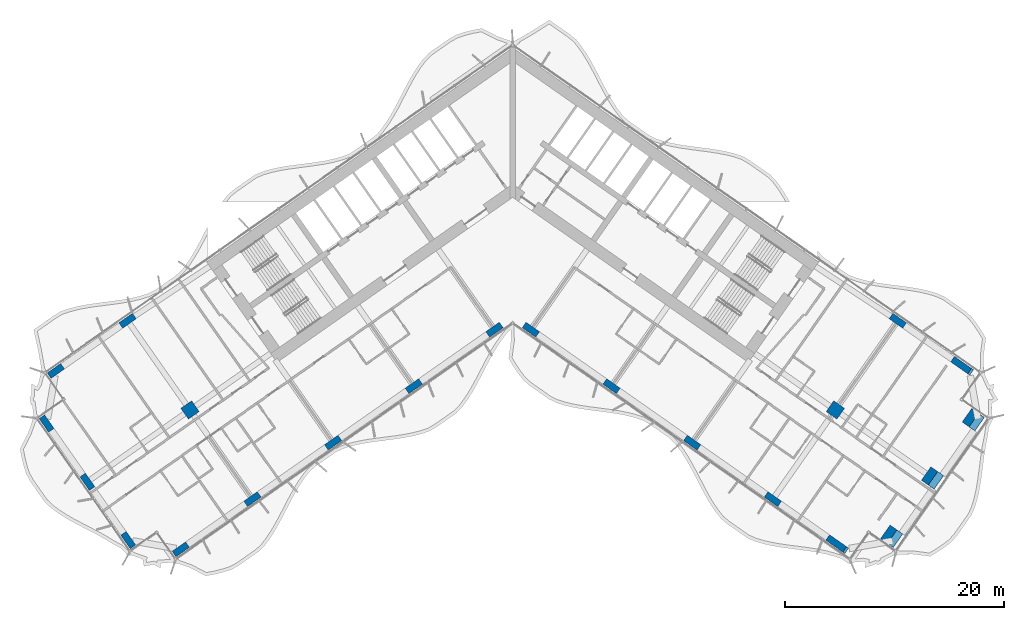
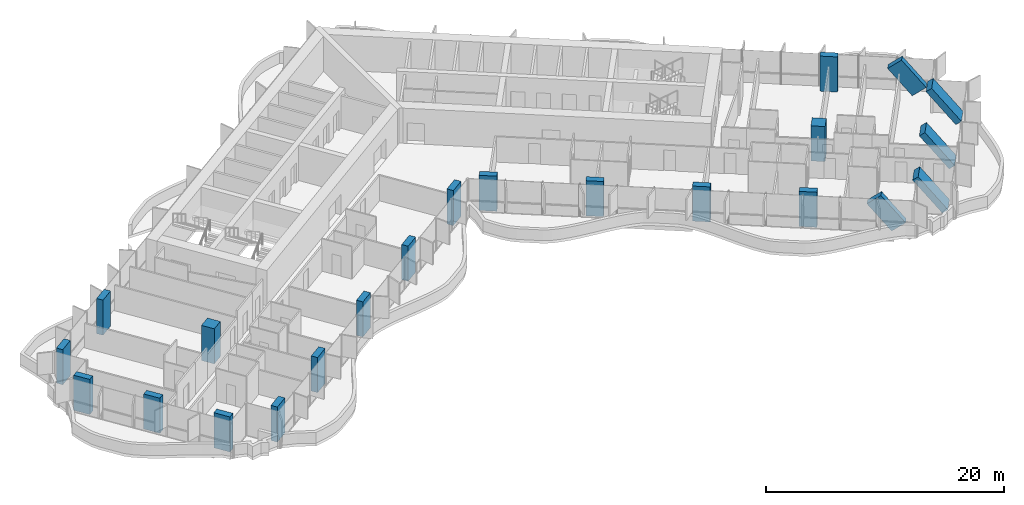
# One storey, part 1 of 24: 22 columns.
"""IFC4 building model written with IfcOpenShell, lengths in metres."""

from ifc_helpers import new_model, si_unit, direction, frame, origin, origin_2d, place, context, subcontext, project, spatial, rectangle, extrude, clip, halfspace, material, material_profile, profile_set, type_object, element, save


model = new_model("IFC4")

# Units and contexts
model_context = context("Model", 3, precision=1e-05, world=origin(), true_north=direction((0.0, 1.0)))
body_context = subcontext(model_context, "Body", "Model", "MODEL_VIEW")
ifc_project = project(units=[si_unit("LENGTHUNIT", "METRE"), si_unit("AREAUNIT", "SQUARE_METRE"), si_unit("VOLUMEUNIT", "CUBIC_METRE"), si_unit("PLANEANGLEUNIT", "RADIAN"), si_unit("MASSUNIT", "GRAM", prefix="KILO")], contexts=[model_context])

# Site, building, storey
site_placement = place(None, origin())
site = spatial("IfcSite", under=ifc_project, at=site_placement, CompositionType="ELEMENT")
building_placement = place(site_placement, origin())
building = spatial("IfcBuilding", under=site, at=building_placement, Name="Tel Ilan Convention Tower", CompositionType="ELEMENT")
storey_placement = place(building_placement, frame((0.0, 0.0, 72.5)))
storey = spatial("IfcBuildingStorey", under=building, at=storey_placement, Name="L13", CompositionType="ELEMENT", Elevation=72.5)

# Columns
ifc_material_1 = material(Name="Concrete C60/75", Category="concrete")
ifc_material_profile_1 = material_profile(ifc_material_1, rectangle(XDim=1.199951171875, YDim=1.199951171875, at=origin_2d()), Name="RC 1200x1200")
ifc_profile_set_1 = profile_set([ifc_material_profile_1], Name="Concrete C60/75")
column_type_1 = type_object("IfcColumnType", Name="Column RC 1200x1200 C60/75", PredefinedType="COLUMN", material=ifc_profile_set_1)
for number, where, z_axis, x_axis, name in (
    (1, (-29.489501953125, -20.648681640625, 0.0), (0.0, 0.0, 1.0), (-0.819152044289, -0.573576436351, 0.0), "L13 column W-M4"),
    (2, (29.489501953125, -20.648681640625, 0.0), (0.0, 0.0, 1.0), (0.819152044289, -0.573576436351, 0.0), "L13 column E-M4"),
):
    element("IfcColumn", number, at=place(storey_placement, frame(where, z_axis=z_axis, x_axis=x_axis)), inside=storey, type_object=column_type_1, Name=name, PredefinedType="COLUMN", context=body_context, shape_type="SweptSolid", body=[
        extrude(rectangle(XDim=1.199951171875, YDim=1.199951171875, at=origin_2d()), origin(), (0.0, 0.0, 1.0), 3.60009765625),
    ])
ifc_material_2 = material(Name="Concrete C60/75", Category="concrete")
ifc_material_profile_2 = material_profile(ifc_material_2, rectangle(XDim=1.5, YDim=0.60009765625, at=origin_2d()), Name="RC 600x1500")
ifc_profile_set_2 = profile_set([ifc_material_profile_2], Name="Concrete C60/75")
column_type_2 = type_object("IfcColumnType", Name="Column RC 600x1500 C60/75", PredefinedType="COLUMN", material=ifc_profile_set_2)
for number, where, z_axis, x_axis, name in (
    (3, (-1.665283203125, -13.312744140625, 0.0), (0.0, 0.0, 1.0), (-0.819152044289, -0.573576436351, 0.0), "L13 column W-F1"),
    (4, (-9.03759765625, -18.474853515625, 0.0), (0.0, 0.0, 1.0), (-0.819152044289, -0.573576436351, 0.0), "L13 column W-F2"),
    (5, (-16.409912109375, -23.63720703125, 0.0), (0.0, 0.0, 1.0), (-0.819152044289, -0.573576436351, 0.0), "L13 column W-F3"),
    (6, (-23.782470703125, -28.79931640625, 0.0), (0.0, 0.0, 1.0), (-0.819152044289, -0.573576436351, 0.0), "L13 column W-F4"),
    (7, (-30.335693359375, -33.387939453125, 0.0), (0.0, 0.0, 1.0), (-0.819152044289, -0.573576436351, 0.0), "L13 column W-FC"),
    (8, (-35.196533203125, -12.498291015625, 0.0), (0.0, 0.0, 1.0), (-0.819152044289, -0.573576436351, 0.0), "L13 column W-B4"),
    (9, (-41.749755859375, -17.0869140625, 0.0), (0.0, 0.0, 1.0), (-0.819152044289, -0.573576436351, 0.0), "L13 column W-BC"),
    (10, (-35.140380859375, -32.540771484375, 0.0), (0.0, 0.0, 1.0), (-0.573576436351, 0.819152044289, 0.0), "L13 column W-E1"),
    (11, (-38.868896484375, -27.21630859375, 0.0), (0.0, 0.0, 1.0), (-0.573576436351, 0.819152044289, 0.0), "L13 column W-E2"),
    (12, (-42.596923828125, -21.8916015625, 0.0), (0.0, 0.0, 1.0), (-0.573576436351, 0.819152044289, 0.0), "L13 column W-E3"),
    (13, (1.665283203125, -13.312744140625, 0.0), (0.0, 0.0, 1.0), (0.819152044289, -0.573576436351, 0.0), "L13 column E-F1"),
    (14, (9.03759765625, -18.474853515625, 0.0), (0.0, 0.0, 1.0), (0.819152044289, -0.573576436351, 0.0), "L13 column E-F2"),
    (15, (16.409912109375, -23.63720703125, 0.0), (0.0, 0.0, 1.0), (0.819152044289, -0.573576436351, 0.0), "L13 column E-F3"),
    (16, (23.782470703125, -28.79931640625, 0.0), (0.0, 0.0, 1.0), (0.819152044289, -0.573576436351, 0.0), "L13 column E-F4"),
):
    element("IfcColumn", number, at=place(storey_placement, frame(where, z_axis=z_axis, x_axis=x_axis)), inside=storey, type_object=column_type_2, Name=name, PredefinedType="COLUMN", context=body_context, shape_type="SweptSolid", body=[
        extrude(rectangle(XDim=1.5, YDim=0.60009765625, at=origin_2d()), origin(), (0.0, 0.0, 1.0), 3.60009765625),
    ])
column_1_placement = place(storey_placement, frame((30.335693359375, -33.387939453125, 0.0), z_axis=(-0.502949209434, 0.352179537956, 0.789310880309), x_axis=(0.646559152129, -0.45273936053, 0.613993757481)))
element("IfcColumn", 17, at=column_1_placement, inside=storey, type_object=column_type_2, Name="L13 column E-FC", PredefinedType="COLUMN", context=body_context, shape_type="Clipping", body=[
    clip(clip(extrude(rectangle(XDim=1.5, YDim=0.60009765625, at=origin_2d()), origin(), (0.0, 0.0, 1.0), 4.560546875), halfspace(frame((0.0, 0.0, 0.583251953125), z_axis=(0.0, 0.0, 1.0), x_axis=(1.0, 0.0, 0.0)), True)), halfspace(frame((0.0, 0.0, 3.977294921875), z_axis=(0.0, 0.0, 1.0), x_axis=(1.0, 0.0, 0.0)), False)),
])
column_2_placement = place(storey_placement, frame((35.196533203125, -12.498291015625, 0.0), z_axis=(0.0, 0.0, 1.0), x_axis=(0.819152044289, -0.573576436351, 0.0)))
element("IfcColumn", 18, at=column_2_placement, inside=storey, type_object=column_type_2, Name="L13 column E-B4", PredefinedType="COLUMN", context=body_context, shape_type="SweptSolid", body=[
    extrude(rectangle(XDim=1.5, YDim=0.60009765625, at=origin_2d()), origin(), (0.0, 0.0, 1.0), 3.60009765625),
])
column_3_placement = place(storey_placement, frame((41.749755859375, -17.086669921875, 0.0), z_axis=(-0.502908210177, 0.3521292646, 0.789359432166), x_axis=(0.646611950122, -0.452748604756, 0.613931337245)))
element("IfcColumn", 19, at=column_3_placement, inside=storey, type_object=column_type_2, Name="L13 column E-BC", PredefinedType="COLUMN", context=body_context, shape_type="Clipping", body=[
    clip(clip(extrude(rectangle(XDim=1.5, YDim=0.60009765625, at=origin_2d()), origin(), (0.0, 0.0, 1.0), 4.560546875), halfspace(frame((0.0, 0.0, 0.583251953125), z_axis=(0.0, 0.0, 1.0), x_axis=(1.0, 0.0, 0.0)), True)), halfspace(frame((0.0, 0.0, 3.97705078125), z_axis=(0.0, 0.0, 1.0), x_axis=(1.0, 0.0, 0.0)), False)),
])
for number, where, z_axis, x_axis, name in (
    (20, (35.140625, -32.54052734375, 0.0), (-0.502933821481, 0.352125233086, 0.789344912846), (0.573540565604, 0.819177160086, 0.0), "L13 column E-E1"),
    (21, (38.868896484375, -27.216064453125, 0.0), (-0.502933821481, 0.352125233086, 0.789344912846), (0.573540565604, 0.819177160086, 0.0), "L13 column E-E2"),
    (22, (42.59716796875, -21.8916015625, 0.0), (-0.502933821481, 0.352125233086, 0.789344912846), (0.573540565604, 0.819177160086, 0.0), "L13 column E-E3"),
):
    element("IfcColumn", number, at=place(storey_placement, frame(where, z_axis=z_axis, x_axis=x_axis)), inside=storey, type_object=column_type_2, Name=name, PredefinedType="COLUMN", context=body_context, shape_type="Clipping", body=[
        clip(clip(extrude(rectangle(XDim=1.5, YDim=0.60009765625, at=origin_2d()), origin(), (0.0, 0.0, 1.0), 4.560791015625), halfspace(frame((0.0, 0.0, 0.2333984375), z_axis=(0.0, 0.0, 1.0), x_axis=(1.0, 0.0, 0.0)), True)), halfspace(frame((0.0, 0.0, 4.327392578125), z_axis=(0.0, 0.0, 1.0), x_axis=(1.0, 0.0, 0.0)), False)),
    ])

save(model, "model.ifc")
